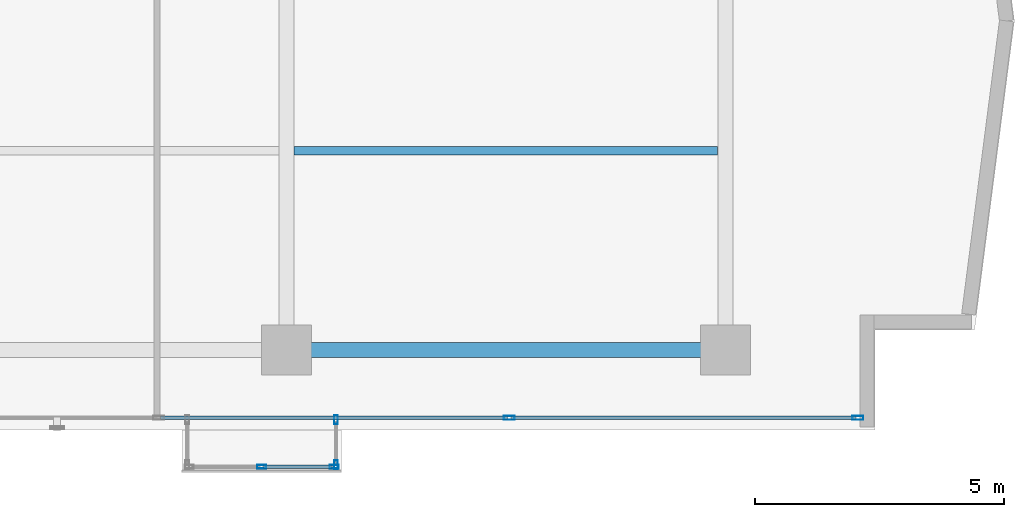
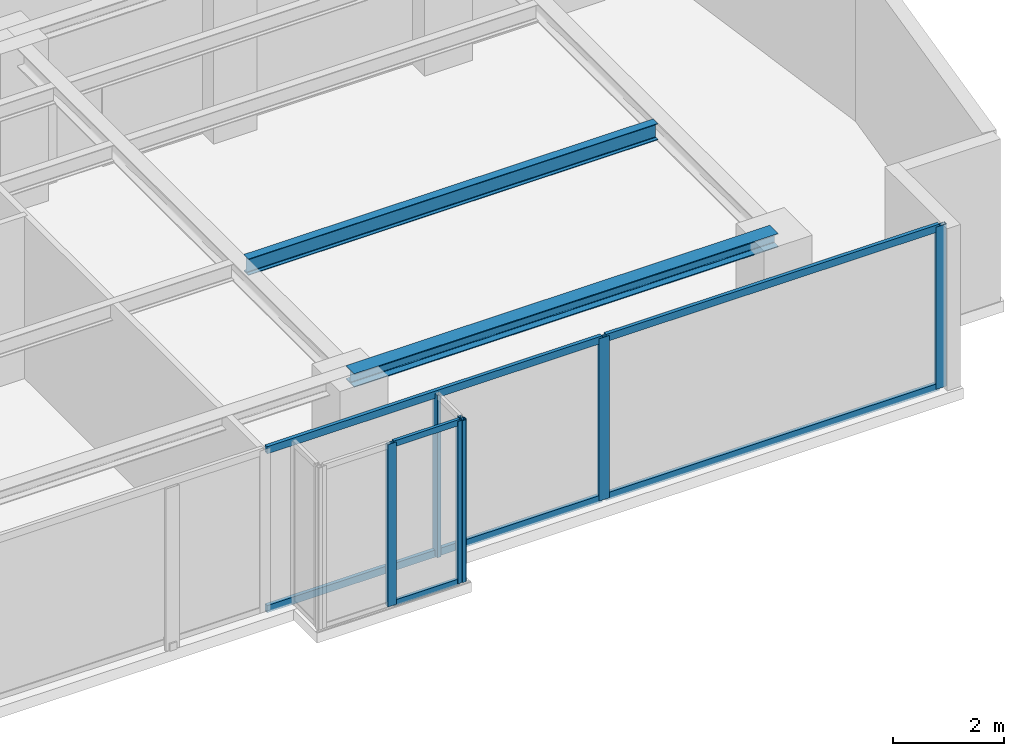
# One storey, part 11 of 24: 12 members, 2 beams, 3 elements without a shape of their own.
"""IFC4 building model written with IfcOpenShell, lengths in metres."""

from ifc_helpers import new_model, si_unit, direction, frame, origin, origin_with_axes, origin_2d, place, context, subcontext, project, spatial, hollow_rectangle, i_section, extrude, source, transform, mapped, material, layer, layer_set, material_profile, profile_set, type_object, element, aggregate, save


model = new_model("IFC4")

# Units and contexts
model_context = context("Model", 3, precision=1e-05, world=origin(), true_north=direction((0.0, 1.0)))
body_context = subcontext(model_context, "Body", "Model", "MODEL_VIEW")
ifc_project = project(units=[si_unit("LENGTHUNIT", "METRE"), si_unit("AREAUNIT", "SQUARE_METRE"), si_unit("VOLUMEUNIT", "CUBIC_METRE"), si_unit("PLANEANGLEUNIT", "RADIAN"), si_unit("MASSUNIT", "GRAM", prefix="KILO")], contexts=[model_context])

# Site, building, storey
site_placement = place(None, origin())
site = spatial("IfcSite", under=ifc_project, at=site_placement, CompositionType="ELEMENT")
building_placement = place(site_placement, origin())
building = spatial("IfcBuilding", under=site, at=building_placement, Name="Kolvaren Waterfront Exchange", CompositionType="ELEMENT")
storey_placement = place(building_placement, frame((0.0, 0.0, 238.699951171875)))
storey = spatial("IfcBuildingStorey", under=building, at=storey_placement, Name="L61", CompositionType="ELEMENT", Elevation=238.699951171875)

# Beams
ifc_material_1 = material(Name="Steel S355", Category="steel")
ifc_material_profile_1 = material_profile(ifc_material_1, i_section(OverallWidth=0.300048828125, OverallDepth=0.300048828125, WebThickness=0.010986328125, FlangeThickness=0.01904296875, FilletRadius=0.027099609375, at=origin_2d()), Name="HEB300")
ifc_profile_set_1 = profile_set([ifc_material_profile_1], Name="Steel S355")
beam_type_1 = type_object("IfcBeamType", Name="STR-BM-HEB300", PredefinedType="SPANDREL", material=ifc_profile_set_1)
beam_1_placement = place(storey_placement, frame((36.800048828125, 5.199951171875, 3.41015625), z_axis=(1.0, 0.0, 0.0), x_axis=(0.0, 1.0, 0.0)))
element("IfcBeam", 1, at=beam_1_placement, inside=storey, type_object=beam_type_1, Name="L61 east-arm spandrel S3", PredefinedType="SPANDREL", context=body_context, shape_type="SweptSolid", body=[
    extrude(i_section(OverallWidth=0.300048828125, OverallDepth=0.300048828125, WebThickness=0.010986328125, FlangeThickness=0.01904296875, FilletRadius=0.027099609375, at=origin_2d()), origin(), (0.0, 0.0, 1.0), 8.800048828125),
])
ifc_material_profile_2 = material_profile(ifc_material_1, i_section(OverallWidth=0.169921875, OverallDepth=0.360107421875, WebThickness=0.008056640625, FlangeThickness=0.0126953125, FilletRadius=0.01806640625, at=origin_2d()), Name="IPE360")
ifc_profile_set_2 = profile_set([ifc_material_profile_2], Name="Steel S355")
beam_type_2 = type_object("IfcBeamType", Name="STR-BM-IPE360", PredefinedType="JOIST", material=ifc_profile_set_2)
beam_2_placement = place(storey_placement, frame((36.951904296875, 9.199951171875, 3.380126953125), z_axis=(1.0, 0.0, 0.0), x_axis=(0.0, 1.0, 0.0)))
element("IfcBeam", 2, at=beam_2_placement, inside=storey, type_object=beam_type_2, Name="L61 east-arm composite joist 3B", PredefinedType="JOIST", context=body_context, shape_type="SweptSolid", body=[
    extrude(i_section(OverallWidth=0.169921875, OverallDepth=0.360107421875, WebThickness=0.008056640625, FlangeThickness=0.0126953125, FilletRadius=0.01806640625, at=origin_2d()), origin(), (0.0, 0.0, 1.0), 8.49609375),
])

# Curtain wall, members
ifc_material_2 = material(Name="Anodised bronze aluminium 6063-T6", Category="aluminium")
ifc_layer_1 = layer(ifc_material_2, 0.219970703125, Name="Anodised bronze aluminium 6063-T6")
ifc_layer_set_1 = layer_set([ifc_layer_1], Name="Anodised bronze aluminium 6063-T6")
curtain_wall_type_1 = type_object("IfcCurtainWallType", Name="ARC-CW-SYS3", PredefinedType="USERDEFINED", material=ifc_layer_set_1)
curtain_wall_1_placement = place(storey_placement, origin())
curtain_wall_1 = element("IfcCurtainWall", 3, at=curtain_wall_1_placement, inside=storey, type_object=curtain_wall_type_1, Name="L61 stick curtain wall CW3 (CW-L61-BOX)", ObjectType="STICK CURTAIN WALL", PredefinedType="USERDEFINED")
ifc_material_profile_3 = material_profile(ifc_material_2, hollow_rectangle(XDim=0.06494140625, YDim=0.1298828125, WallThickness=0.00390625, at=origin_2d()), Name="ALU-TRN-130x65x4")
ifc_profile_set_3 = profile_set([ifc_material_profile_3], Name="Anodised bronze aluminium 6063-T6")
member_type_1 = type_object("IfcMemberType", Name="ARC-CWT-130", PredefinedType="USERDEFINED", material=ifc_profile_set_3)
shared_shape_1 = source(origin_with_axes(), body_context, "Body", "SweptSolid", [
    extrude(hollow_rectangle(XDim=0.06494140625, YDim=0.1298828125, WallThickness=0.00390625, at=origin_2d()), origin(), (0.0, 0.0, 1.0), 1.377685546875),
])
member_1_placement = place(storey_placement, frame((36.33740234375, 2.860107421875, 0.032470703125), z_axis=(1.0, 0.0, 0.0), x_axis=(0.0, 1.0, 0.0)))
member_1 = element("IfcMember", 4, at=member_1_placement, type_object=member_type_1, Name="CW3 transom 2.1", ObjectType="TRANSOM", PredefinedType="USERDEFINED", context=body_context, shape_type="MappedRepresentation", body=[
    mapped(shared_shape_1, transform((0.0, 0.0, 0.0), x_axis=(1.0, 0.0, 0.0), y_axis=(0.0, 1.0, 0.0), z_axis=(0.0, 0.0, 1.0), scale=1.0)),
])
member_2_placement = place(storey_placement, frame((36.33740234375, 2.860107421875, 3.527587890625), z_axis=(1.0, 0.0, 0.0), x_axis=(0.0, 1.0, 0.0)))
member_2 = element("IfcMember", 5, at=member_2_placement, type_object=member_type_1, Name="CW3 transom 2.2", ObjectType="TRANSOM", PredefinedType="USERDEFINED", context=body_context, shape_type="MappedRepresentation", body=[
    mapped(shared_shape_1, transform((0.0, 0.0, 0.0), x_axis=(1.0, 0.0, 0.0), y_axis=(0.0, 1.0, 0.0), z_axis=(0.0, 0.0, 1.0), scale=1.0)),
])
ifc_material_profile_4 = material_profile(ifc_material_2, hollow_rectangle(XDim=0.074951171875, YDim=0.179931640625, WallThickness=0.00439453125, at=origin_2d()), Name="ALU-MUL-180x75x4.5")
ifc_profile_set_4 = profile_set([ifc_material_profile_4], Name="Anodised bronze aluminium 6063-T6")
member_type_2 = type_object("IfcMemberType", Name="ARC-CWM-180", PredefinedType="MULLION", material=ifc_profile_set_4)
shared_shape_2 = source(origin_with_axes(), body_context, "Body", "SweptSolid", [
    extrude(hollow_rectangle(XDim=0.074951171875, YDim=0.179931640625, WallThickness=0.00439453125, at=origin_2d()), origin(), (0.0, 0.0, 1.0), 3.56005859375),
])
member_3_placement = place(storey_placement, frame((36.300048828125, 2.860107421875, 0.0), z_axis=(0.0, 0.0, 1.0), x_axis=(0.0, 1.0, 0.0)))
member_3 = element("IfcMember", 6, at=member_3_placement, type_object=member_type_2, Name="CW3 mullion 2", PredefinedType="MULLION", context=body_context, shape_type="MappedRepresentation", body=[
    mapped(shared_shape_2, transform((0.0, 0.0, 0.0), x_axis=(1.0, 0.0, 0.0), y_axis=(0.0, 1.0, 0.0), z_axis=(0.0, 0.0, 1.0), scale=1.0)),
])
member_4_placement = place(storey_placement, frame((37.75244140625, 2.860107421875, 0.0), z_axis=(0.0, 0.0, 1.0), x_axis=(0.0, 1.0, 0.0)))
member_4 = element("IfcMember", 7, at=member_4_placement, type_object=member_type_2, Name="CW3 mullion 3", PredefinedType="MULLION", context=body_context, shape_type="MappedRepresentation", body=[
    mapped(shared_shape_2, transform((0.0, 0.0, 0.0), x_axis=(1.0, 0.0, 0.0), y_axis=(0.0, 1.0, 0.0), z_axis=(0.0, 0.0, 1.0), scale=1.0)),
])
aggregate(curtain_wall_1, [member_3, member_4, member_1, member_2])

curtain_wall_2_placement = place(storey_placement, origin())
curtain_wall_2 = element("IfcCurtainWall", 8, at=curtain_wall_2_placement, inside=storey, type_object=curtain_wall_type_1, Name="L61 stick curtain wall CW3 (CW-L61-BOX-E)", ObjectType="STICK CURTAIN WALL", PredefinedType="USERDEFINED")
member_5_placement = place(storey_placement, frame((37.7900390625, 2.8974609375, 0.0), z_axis=(0.0, 0.0, 1.0), x_axis=(-1.0, 0.0, 0.0)))
member_5 = element("IfcMember", 9, at=member_5_placement, type_object=member_type_2, Name="CW3 mullion 1", PredefinedType="MULLION", context=body_context, shape_type="MappedRepresentation", body=[
    mapped(shared_shape_2, transform((0.0, 0.0, 0.0), x_axis=(1.0, 0.0, 0.0), y_axis=(0.0, 1.0, 0.0), z_axis=(0.0, 0.0, 1.0), scale=1.0)),
])
member_6_placement = place(storey_placement, frame((37.7900390625, 3.802490234375, 0.0), z_axis=(0.0, 0.0, 1.0), x_axis=(-1.0, 0.0, 0.0)))
member_6 = element("IfcMember", 10, at=member_6_placement, type_object=member_type_2, Name="CW3 mullion 2", PredefinedType="MULLION", context=body_context, shape_type="MappedRepresentation", body=[
    mapped(shared_shape_2, transform((0.0, 0.0, 0.0), x_axis=(1.0, 0.0, 0.0), y_axis=(0.0, 1.0, 0.0), z_axis=(0.0, 0.0, 1.0), scale=1.0)),
])
aggregate(curtain_wall_2, [member_5, member_6])

ifc_layer_2 = layer(ifc_material_2, 0.219970703125, Name="Anodised bronze aluminium 6063-T6")
ifc_layer_set_2 = layer_set([ifc_layer_2], Name="Anodised bronze aluminium 6063-T6")
curtain_wall_type_2 = type_object("IfcCurtainWallType", Name="ARC-CW-SYS1", PredefinedType="USERDEFINED", material=ifc_layer_set_2)
curtain_wall_3_placement = place(storey_placement, origin())
curtain_wall_3 = element("IfcCurtainWall", 11, at=curtain_wall_3_placement, inside=storey, type_object=curtain_wall_type_2, Name="L61 stick curtain wall CW1 (CW-L61-S)", ObjectType="STICK CURTAIN WALL", PredefinedType="USERDEFINED")
ifc_material_3 = material(Name="Anodised aluminium 6063-T6", Category="aluminium")
ifc_material_profile_5 = material_profile(ifc_material_3, hollow_rectangle(XDim=0.080078125, YDim=0.219970703125, WallThickness=0.0048828125, at=origin_2d()), Name="ALU-MUL-220x80x5")
ifc_profile_set_5 = profile_set([ifc_material_profile_5], Name="Anodised aluminium 6063-T6")
member_type_3 = type_object("IfcMemberType", Name="ARC-CWM-220", PredefinedType="MULLION", material=ifc_profile_set_5)
shared_shape_3 = source(origin_with_axes(), body_context, "Body", "SweptSolid", [
    extrude(hollow_rectangle(XDim=0.080078125, YDim=0.219970703125, WallThickness=0.0048828125, at=origin_2d()), origin(), (0.0, 0.0, 1.0), 3.56005859375),
])
member_7_placement = place(storey_placement, frame((41.2666015625, 3.840087890625, 0.0), z_axis=(0.0, 0.0, 1.0), x_axis=(0.0, 1.0, 0.0)))
member_7 = element("IfcMember", 12, at=member_7_placement, type_object=member_type_3, Name="CW1 mullion 6", PredefinedType="MULLION", context=body_context, shape_type="MappedRepresentation", body=[
    mapped(shared_shape_3, transform((0.0, 0.0, 0.0), x_axis=(1.0, 0.0, 0.0), y_axis=(0.0, 1.0, 0.0), z_axis=(0.0, 0.0, 1.0), scale=1.0)),
])
member_8_placement = place(storey_placement, frame((48.260009765625, 3.840087890625, 0.0), z_axis=(0.0, 0.0, 1.0), x_axis=(0.0, 1.0, 0.0)))
member_8 = element("IfcMember", 13, at=member_8_placement, type_object=member_type_3, Name="CW1 mullion 7", PredefinedType="MULLION", context=body_context, shape_type="MappedRepresentation", body=[
    mapped(shared_shape_3, transform((0.0, 0.0, 0.0), x_axis=(1.0, 0.0, 0.0), y_axis=(0.0, 1.0, 0.0), z_axis=(0.0, 0.0, 1.0), scale=1.0)),
])
ifc_material_profile_6 = material_profile(ifc_material_3, hollow_rectangle(XDim=0.074951171875, YDim=0.159912109375, WallThickness=0.00439453125, at=origin_2d()), Name="ALU-TRN-160x75x4.5")
ifc_profile_set_6 = profile_set([ifc_material_profile_6], Name="Anodised aluminium 6063-T6")
member_type_4 = type_object("IfcMemberType", Name="ARC-CWT-160", PredefinedType="USERDEFINED", material=ifc_profile_set_6)
shared_shape_4 = source(origin_with_axes(), body_context, "Body", "SweptSolid", [
    extrude(hollow_rectangle(XDim=0.074951171875, YDim=0.159912109375, WallThickness=0.00439453125, at=origin_2d()), origin(), (0.0, 0.0, 1.0), 6.913330078125),
])
member_9_placement = place(storey_placement, frame((41.306640625, 3.840087890625, 0.03759765625), z_axis=(1.0, 0.0, 0.0), x_axis=(0.0, 1.0, 0.0)))
member_9 = element("IfcMember", 14, at=member_9_placement, type_object=member_type_4, Name="CW1 transom 6.1", ObjectType="TRANSOM", PredefinedType="USERDEFINED", context=body_context, shape_type="MappedRepresentation", body=[
    mapped(shared_shape_4, transform((0.0, 0.0, 0.0), x_axis=(1.0, 0.0, 0.0), y_axis=(0.0, 1.0, 0.0), z_axis=(0.0, 0.0, 1.0), scale=1.0)),
])
member_10_placement = place(storey_placement, frame((41.306640625, 3.840087890625, 3.5224609375), z_axis=(1.0, 0.0, 0.0), x_axis=(0.0, 1.0, 0.0)))
member_10 = element("IfcMember", 15, at=member_10_placement, type_object=member_type_4, Name="CW1 transom 6.2", ObjectType="TRANSOM", PredefinedType="USERDEFINED", context=body_context, shape_type="MappedRepresentation", body=[
    mapped(shared_shape_4, transform((0.0, 0.0, 0.0), x_axis=(1.0, 0.0, 0.0), y_axis=(0.0, 1.0, 0.0), z_axis=(0.0, 0.0, 1.0), scale=1.0)),
])
shared_shape_5 = source(origin_with_axes(), body_context, "Body", "SweptSolid", [
    extrude(hollow_rectangle(XDim=0.074951171875, YDim=0.159912109375, WallThickness=0.00439453125, at=origin_2d()), origin(), (0.0, 0.0, 1.0), 6.953125),
])
member_11_placement = place(storey_placement, frame((34.2734375, 3.840087890625, 0.03759765625), z_axis=(1.0, 0.0, 0.0), x_axis=(0.0, 1.0, 0.0)))
member_11 = element("IfcMember", 16, at=member_11_placement, type_object=member_type_4, Name="CW1 transom 5.1", ObjectType="TRANSOM", PredefinedType="USERDEFINED", context=body_context, shape_type="MappedRepresentation", body=[
    mapped(shared_shape_5, transform((0.0, 0.0, 0.0), x_axis=(1.0, 0.0, 0.0), y_axis=(0.0, 1.0, 0.0), z_axis=(0.0, 0.0, 1.0), scale=1.0)),
])
member_12_placement = place(storey_placement, frame((34.2734375, 3.840087890625, 3.5224609375), z_axis=(1.0, 0.0, 0.0), x_axis=(0.0, 1.0, 0.0)))
member_12 = element("IfcMember", 17, at=member_12_placement, type_object=member_type_4, Name="CW1 transom 5.2", ObjectType="TRANSOM", PredefinedType="USERDEFINED", context=body_context, shape_type="MappedRepresentation", body=[
    mapped(shared_shape_5, transform((0.0, 0.0, 0.0), x_axis=(1.0, 0.0, 0.0), y_axis=(0.0, 1.0, 0.0), z_axis=(0.0, 0.0, 1.0), scale=1.0)),
])
aggregate(curtain_wall_3, [member_7, member_8, member_11, member_12, member_9, member_10])

save(model, "model.ifc")
